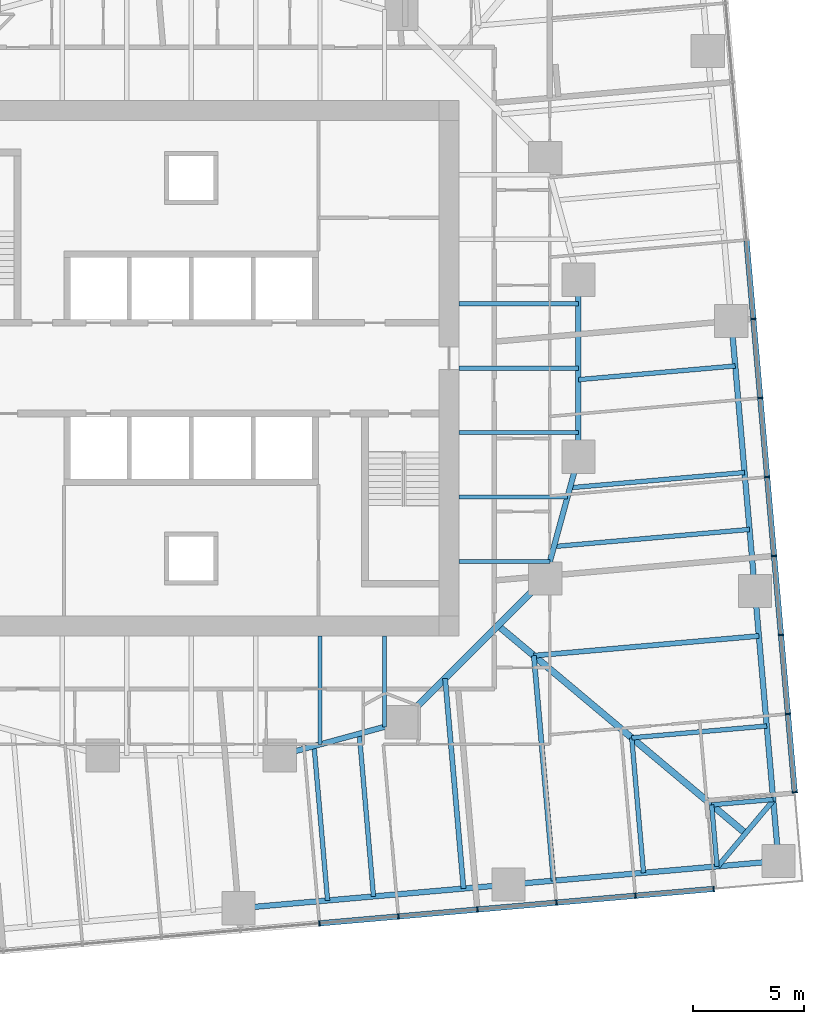
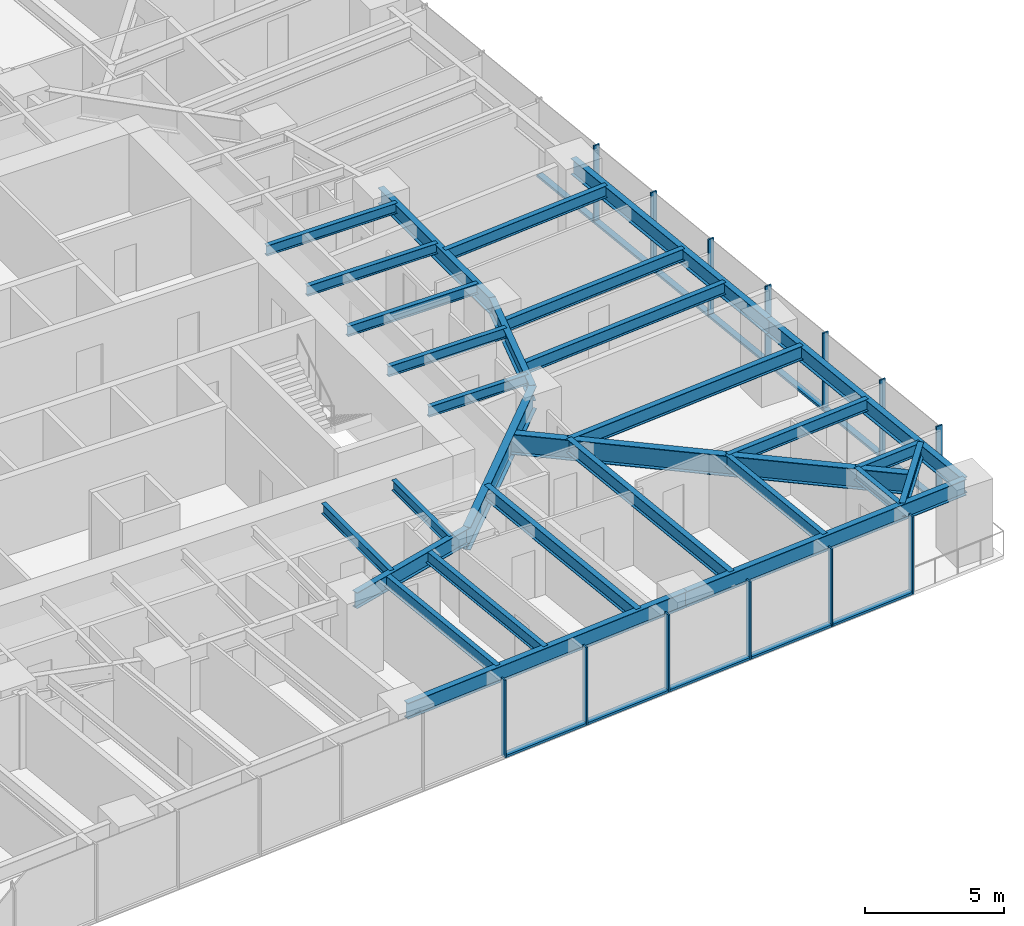
# One storey, part 4 of 14: 29 beams, 25 members, 2 elements without a shape of their own.
"""IFC4 building model written with IfcOpenShell, lengths in metres."""

from ifc_helpers import new_model, si_unit, direction, frame, origin, origin_2d, place, context, subcontext, project, spatial, rectangle, i_section, extrude, material, material_profile, profile_set, type_object, element, aggregate, save


model = new_model("IFC4")

# Units and contexts
model_context = context("Model", 3, precision=1e-05, world=origin(), true_north=direction((0.0, 1.0)))
body_context = subcontext(model_context, "Body", "Model", "MODEL_VIEW")
ifc_project = project(units=[si_unit("LENGTHUNIT", "METRE"), si_unit("AREAUNIT", "SQUARE_METRE"), si_unit("VOLUMEUNIT", "CUBIC_METRE"), si_unit("PLANEANGLEUNIT", "RADIAN"), si_unit("MASSUNIT", "GRAM", prefix="KILO")], contexts=[model_context])

# Site, building, storey
site_placement = place(None, origin())
site = spatial("IfcSite", under=ifc_project, at=site_placement, CompositionType="ELEMENT")
building_placement = place(site_placement, origin())
building = spatial("IfcBuilding", under=site, at=building_placement, Name="Torsade Residences", CompositionType="ELEMENT")
storey_placement = place(building_placement, frame((0.0, 0.0, 57.39990234375)))
storey = spatial("IfcBuildingStorey", under=building, at=storey_placement, Name="L15", CompositionType="ELEMENT", Elevation=57.39990234375)

# Beams
ifc_material_1 = material(Name="Steel grade 300", Category="steel")
ifc_material_profile_1 = material_profile(ifc_material_1, i_section(OverallWidth=0.300048828125, OverallDepth=0.89990234375, WebThickness=0.011962890625, FlangeThickness=0.02490234375, at=origin_2d()), Name="900WB175")
ifc_profile_set_1 = profile_set([ifc_material_profile_1], Name="Steel grade 300")
beam_type_1 = type_object("IfcBeamType", Name="CORNER GIRDER 900WB175", PredefinedType="BEAM", material=ifc_profile_set_1)
beam_1_placement = place(storey_placement, frame((65.052490234375, 8.978515625, 2.800048828125), z_axis=(-0.766046281307, 0.642785419012, 0.0), x_axis=(-0.642785419012, -0.766046281307, 0.0)))
element("IfcBeam", 1, at=beam_1_placement, inside=storey, type_object=beam_type_1, Name="Corner girder 05 L16", PredefinedType="BEAM", context=body_context, shape_type="SweptSolid", body=[
    extrude(i_section(OverallWidth=0.300048828125, OverallDepth=0.89990234375, WebThickness=0.011962890625, FlangeThickness=0.02490234375, at=origin_2d()), origin(), (0.0, 0.0, 1.0), 14.603515625),
])
ifc_material_2 = material(Name="Steel grade 300", Category="steel")
ifc_material_profile_2 = material_profile(ifc_material_2, i_section(OverallWidth=0.22802734375, OverallDepth=0.60205078125, WebThickness=0.010498046875, FlangeThickness=0.014892578125, FilletRadius=0.013916015625, at=origin_2d()), Name="610UB101")
ifc_profile_set_2 = profile_set([ifc_material_profile_2], Name="Steel grade 300")
beam_type_2 = type_object("IfcBeamType", Name="CORNER TRIMMER 610UB101", PredefinedType="BEAM", material=ifc_profile_set_2)
beam_2_placement = place(storey_placement, frame((66.302490234375, 10.468017578125, 2.94921875), z_axis=(-0.642804819911, -0.766030001697, 0.0), x_axis=(0.766030001697, -0.642804819911, 0.0)))
element("IfcBeam", 2, at=beam_2_placement, inside=storey, type_object=beam_type_2, Name="Corner trimmer 05 L16", PredefinedType="BEAM", context=body_context, shape_type="SweptSolid", body=[
    extrude(i_section(OverallWidth=0.22802734375, OverallDepth=0.60205078125, WebThickness=0.010498046875, FlangeThickness=0.014892578125, FilletRadius=0.013916015625, at=origin_2d()), origin(), (0.0, 0.0, 1.0), 3.88916015625),
])

# Curtain wall, members
ifc_material_3 = material(Name="Aluminium and glass", Category="aluminium")
curtain_wall_type = type_object("IfcCurtainWallType", Name="FRITTED GLASS CURTAIN WALL LOW ZONE", PredefinedType="NOTDEFINED", material=ifc_material_3)
curtain_wall_1_placement = place(storey_placement, origin())
curtain_wall_1 = element("IfcCurtainWall", 3, at=curtain_wall_1_placement, inside=storey, type_object=curtain_wall_type, Name="Curtain wall L15 face 1", PredefinedType="NOTDEFINED")
ifc_material_4 = material(Name="Aluminium mullion", Category="aluminium")
ifc_material_profile_3 = material_profile(ifc_material_4, rectangle(XDim=0.25, YDim=0.06494140625, at=origin_2d()), Name="CURTAIN WALL MULLION 250x65")
ifc_profile_set_3 = profile_set([ifc_material_profile_3], Name="Aluminium mullion")
member_type_1 = type_object("IfcMemberType", Name="CURTAIN WALL MULLION 250x65", PredefinedType="MULLION", material=ifc_profile_set_3)
member_1_placement = place(storey_placement, frame((45.792236328125, 4.909423828125, 0.0), z_axis=(0.0, 0.0, 1.0), x_axis=(-0.087155744208, 0.996194697964, 0.0)))
member_1 = element("IfcMember", 4, at=member_1_placement, type_object=member_type_1, Name="Mullion 8", PredefinedType="MULLION", context=body_context, shape_type="SweptSolid", body=[
    extrude(rectangle(XDim=0.25, YDim=0.06494140625, at=origin_2d()), origin(), (0.0, 0.0, 1.0), 3.400146484375),
])
member_2_placement = place(storey_placement, frame((49.36181640625, 5.2216796875, 0.0), z_axis=(0.0, 0.0, 1.0), x_axis=(-0.087155744208, 0.996194697964, 0.0)))
member_2 = element("IfcMember", 5, at=member_2_placement, type_object=member_type_1, Name="Mullion 9", PredefinedType="MULLION", context=body_context, shape_type="SweptSolid", body=[
    extrude(rectangle(XDim=0.25, YDim=0.06494140625, at=origin_2d()), origin(), (0.0, 0.0, 1.0), 3.400146484375),
])
member_3_placement = place(storey_placement, frame((52.931640625, 5.533935546875, 0.0), z_axis=(0.0, 0.0, 1.0), x_axis=(-0.087155744208, 0.996194697964, 0.0)))
member_3 = element("IfcMember", 6, at=member_3_placement, type_object=member_type_1, Name="Mullion 10", PredefinedType="MULLION", context=body_context, shape_type="SweptSolid", body=[
    extrude(rectangle(XDim=0.25, YDim=0.06494140625, at=origin_2d()), origin(), (0.0, 0.0, 1.0), 3.400146484375),
])
member_4_placement = place(storey_placement, frame((56.501220703125, 5.84619140625, 0.0), z_axis=(0.0, 0.0, 1.0), x_axis=(-0.087155744208, 0.996194697964, 0.0)))
member_4 = element("IfcMember", 7, at=member_4_placement, type_object=member_type_1, Name="Mullion 11", PredefinedType="MULLION", context=body_context, shape_type="SweptSolid", body=[
    extrude(rectangle(XDim=0.25, YDim=0.06494140625, at=origin_2d()), origin(), (0.0, 0.0, 1.0), 3.400146484375),
])
member_5_placement = place(storey_placement, frame((60.071044921875, 6.15869140625, 0.0), z_axis=(0.0, 0.0, 1.0), x_axis=(-0.087155744208, 0.996194697964, 0.0)))
member_5 = element("IfcMember", 8, at=member_5_placement, type_object=member_type_1, Name="Mullion 12", PredefinedType="MULLION", context=body_context, shape_type="SweptSolid", body=[
    extrude(rectangle(XDim=0.25, YDim=0.06494140625, at=origin_2d()), origin(), (0.0, 0.0, 1.0), 3.400146484375),
])
member_6_placement = place(storey_placement, frame((63.6083984375, 6.468017578125, 0.0), z_axis=(0.0, 0.0, 1.0), x_axis=(-0.087155744208, 0.996194697964, 0.0)))
member_6 = element("IfcMember", 9, at=member_6_placement, type_object=member_type_1, Name="Mullion 13", PredefinedType="MULLION", context=body_context, shape_type="SweptSolid", body=[
    extrude(rectangle(XDim=0.25, YDim=0.06494140625, at=origin_2d()), origin(), (0.0, 0.0, 1.0), 3.400146484375),
])

curtain_wall_2_placement = place(storey_placement, origin())
curtain_wall_2 = element("IfcCurtainWall", 10, at=curtain_wall_2_placement, inside=storey, type_object=curtain_wall_type, Name="Curtain wall L15 face 4", PredefinedType="NOTDEFINED")
member_7_placement = place(storey_placement, frame((67.27392578125, 10.836669921875, 0.0), z_axis=(0.0, 0.0, 1.0), x_axis=(-0.996194697964, -0.087155744208, 0.0)))
member_7 = element("IfcMember", 11, at=member_7_placement, type_object=member_type_1, Name="Mullion 1", PredefinedType="MULLION", context=body_context, shape_type="SweptSolid", body=[
    extrude(rectangle(XDim=0.25, YDim=0.06494140625, at=origin_2d()), origin(), (0.0, 0.0, 1.0), 3.400146484375),
])
member_8_placement = place(storey_placement, frame((66.964599609375, 14.3740234375, 0.0), z_axis=(0.0, 0.0, 1.0), x_axis=(-0.996194697964, -0.087155744208, 0.0)))
member_8 = element("IfcMember", 12, at=member_8_placement, type_object=member_type_1, Name="Mullion 2", PredefinedType="MULLION", context=body_context, shape_type="SweptSolid", body=[
    extrude(rectangle(XDim=0.25, YDim=0.06494140625, at=origin_2d()), origin(), (0.0, 0.0, 1.0), 3.400146484375),
])
member_9_placement = place(storey_placement, frame((66.652099609375, 17.943603515625, 0.0), z_axis=(0.0, 0.0, 1.0), x_axis=(-0.996194697964, -0.087155744208, 0.0)))
member_9 = element("IfcMember", 13, at=member_9_placement, type_object=member_type_1, Name="Mullion 3", PredefinedType="MULLION", context=body_context, shape_type="SweptSolid", body=[
    extrude(rectangle(XDim=0.25, YDim=0.06494140625, at=origin_2d()), origin(), (0.0, 0.0, 1.0), 3.400146484375),
])
member_10_placement = place(storey_placement, frame((66.33984375, 21.513427734375, 0.0), z_axis=(0.0, 0.0, 1.0), x_axis=(-0.996194697964, -0.087155744208, 0.0)))
member_10 = element("IfcMember", 14, at=member_10_placement, type_object=member_type_1, Name="Mullion 4", PredefinedType="MULLION", context=body_context, shape_type="SweptSolid", body=[
    extrude(rectangle(XDim=0.25, YDim=0.06494140625, at=origin_2d()), origin(), (0.0, 0.0, 1.0), 3.400146484375),
])
member_11_placement = place(storey_placement, frame((66.027587890625, 25.0830078125, 0.0), z_axis=(0.0, 0.0, 1.0), x_axis=(-0.996194697964, -0.087155744208, 0.0)))
member_11 = element("IfcMember", 15, at=member_11_placement, type_object=member_type_1, Name="Mullion 5", PredefinedType="MULLION", context=body_context, shape_type="SweptSolid", body=[
    extrude(rectangle(XDim=0.25, YDim=0.06494140625, at=origin_2d()), origin(), (0.0, 0.0, 1.0), 3.400146484375),
])
member_12_placement = place(storey_placement, frame((65.71533203125, 28.65283203125, 0.0), z_axis=(0.0, 0.0, 1.0), x_axis=(-0.996194697964, -0.087155744208, 0.0)))
member_12 = element("IfcMember", 16, at=member_12_placement, type_object=member_type_1, Name="Mullion 6", PredefinedType="MULLION", context=body_context, shape_type="SweptSolid", body=[
    extrude(rectangle(XDim=0.25, YDim=0.06494140625, at=origin_2d()), origin(), (0.0, 0.0, 1.0), 3.400146484375),
])
member_13_placement = place(storey_placement, frame((65.403076171875, 32.222412109375, 0.0), z_axis=(0.0, 0.0, 1.0), x_axis=(-0.996194697964, -0.087155744208, 0.0)))
member_13 = element("IfcMember", 17, at=member_13_placement, type_object=member_type_1, Name="Mullion 7", PredefinedType="MULLION", context=body_context, shape_type="SweptSolid", body=[
    extrude(rectangle(XDim=0.25, YDim=0.06494140625, at=origin_2d()), origin(), (0.0, 0.0, 1.0), 3.400146484375),
])

# Member
ifc_material_5 = material(Name="Aluminium transom", Category="aluminium")
ifc_material_profile_4 = material_profile(ifc_material_5, rectangle(XDim=0.25, YDim=0.10009765625, at=origin_2d()), Name="CURTAIN WALL TRANSOM 250x100")
ifc_profile_set_4 = profile_set([ifc_material_profile_4], Name="Aluminium transom")
member_type_2 = type_object("IfcMemberType", Name="CURTAIN WALL TRANSOM 250x100", PredefinedType="USERDEFINED", material=ifc_profile_set_4)
member_14_placement = place(storey_placement, frame((45.824462890625, 4.912109375, 0.050048828125), z_axis=(0.996195148363, 0.08715059597, 0.0), x_axis=(-0.08715059597, 0.996195148363, 0.0)))
member_14 = element("IfcMember", 18, at=member_14_placement, type_object=member_type_2, Name="Transom 8.1", ObjectType="TRANSOM", PredefinedType="USERDEFINED", context=body_context, shape_type="SweptSolid", body=[
    extrude(rectangle(XDim=0.25, YDim=0.10009765625, at=origin_2d()), origin(), (0.0, 0.0, 1.0), 3.5185546875),
])

member_15_placement = place(storey_placement, frame((49.394287109375, 5.224365234375, 0.050048828125), z_axis=(0.996194621295, 0.087156620531, 0.0), x_axis=(-0.087156620531, 0.996194621295, 0.0)))
member_15 = element("IfcMember", 19, at=member_15_placement, type_object=member_type_2, Name="Transom 9.1", ObjectType="TRANSOM", PredefinedType="USERDEFINED", context=body_context, shape_type="SweptSolid", body=[
    extrude(rectangle(XDim=0.25, YDim=0.10009765625, at=origin_2d()), origin(), (0.0, 0.0, 1.0), 3.518310546875),
])

member_16_placement = place(storey_placement, frame((52.9638671875, 5.536865234375, 0.050048828125), z_axis=(0.996195148363, 0.08715059597, 0.0), x_axis=(-0.08715059597, 0.996195148363, 0.0)))
member_16 = element("IfcMember", 20, at=member_16_placement, type_object=member_type_2, Name="Transom 10.1", ObjectType="TRANSOM", PredefinedType="USERDEFINED", context=body_context, shape_type="SweptSolid", body=[
    extrude(rectangle(XDim=0.25, YDim=0.10009765625, at=origin_2d()), origin(), (0.0, 0.0, 1.0), 3.5185546875),
])

member_17_placement = place(storey_placement, frame((56.53369140625, 5.84912109375, 0.050048828125), z_axis=(0.996194621295, 0.087156620531, 0.0), x_axis=(-0.087156620531, 0.996194621295, 0.0)))
member_17 = element("IfcMember", 21, at=member_17_placement, type_object=member_type_2, Name="Transom 11.1", ObjectType="TRANSOM", PredefinedType="USERDEFINED", context=body_context, shape_type="SweptSolid", body=[
    extrude(rectangle(XDim=0.25, YDim=0.10009765625, at=origin_2d()), origin(), (0.0, 0.0, 1.0), 3.518310546875),
])

member_18_placement = place(storey_placement, frame((60.103271484375, 6.161376953125, 0.050048828125), z_axis=(0.996191284475, 0.08719475177, 0.0), x_axis=(-0.08719475177, 0.996191284475, 0.0)))
member_18 = element("IfcMember", 22, at=member_18_placement, type_object=member_type_2, Name="Transom 12.1", ObjectType="TRANSOM", PredefinedType="USERDEFINED", context=body_context, shape_type="SweptSolid", body=[
    extrude(rectangle(XDim=0.25, YDim=0.10009765625, at=origin_2d()), origin(), (0.0, 0.0, 1.0), 3.48583984375),
])

aggregate(curtain_wall_1, [member_1, member_2, member_3, member_4, member_5, member_6, member_14, member_15, member_16, member_17, member_18])

member_19_placement = place(storey_placement, frame((67.271240234375, 10.869140625, 0.050048828125), z_axis=(-0.0872008357, 0.996190751941, 0.0), x_axis=(-0.996190751941, -0.0872008357, 0.0)))
member_19 = element("IfcMember", 23, at=member_19_placement, type_object=member_type_2, Name="Transom 1.1", ObjectType="TRANSOM", PredefinedType="USERDEFINED", context=body_context, shape_type="SweptSolid", body=[
    extrude(rectangle(XDim=0.25, YDim=0.10009765625, at=origin_2d()), origin(), (0.0, 0.0, 1.0), 3.485595703125),
])

member_20_placement = place(storey_placement, frame((66.961669921875, 14.40625, 0.050048828125), z_axis=(-0.08715059597, 0.996195148363, 0.0), x_axis=(-0.996195148363, -0.08715059597, 0.0)))
member_20 = element("IfcMember", 24, at=member_20_placement, type_object=member_type_2, Name="Transom 2.1", ObjectType="TRANSOM", PredefinedType="USERDEFINED", context=body_context, shape_type="SweptSolid", body=[
    extrude(rectangle(XDim=0.25, YDim=0.10009765625, at=origin_2d()), origin(), (0.0, 0.0, 1.0), 3.5185546875),
])

member_21_placement = place(storey_placement, frame((66.6494140625, 17.97607421875, 0.050048828125), z_axis=(-0.087156620531, 0.996194621295, 0.0), x_axis=(-0.996194621295, -0.087156620531, 0.0)))
member_21 = element("IfcMember", 25, at=member_21_placement, type_object=member_type_2, Name="Transom 3.1", ObjectType="TRANSOM", PredefinedType="USERDEFINED", context=body_context, shape_type="SweptSolid", body=[
    extrude(rectangle(XDim=0.25, YDim=0.10009765625, at=origin_2d()), origin(), (0.0, 0.0, 1.0), 3.518310546875),
])

member_22_placement = place(storey_placement, frame((66.337158203125, 21.545654296875, 0.050048828125), z_axis=(-0.08715059597, 0.996195148363, 0.0), x_axis=(-0.996195148363, -0.08715059597, 0.0)))
member_22 = element("IfcMember", 26, at=member_22_placement, type_object=member_type_2, Name="Transom 4.1", ObjectType="TRANSOM", PredefinedType="USERDEFINED", context=body_context, shape_type="SweptSolid", body=[
    extrude(rectangle(XDim=0.25, YDim=0.10009765625, at=origin_2d()), origin(), (0.0, 0.0, 1.0), 3.5185546875),
])

member_23_placement = place(storey_placement, frame((66.024658203125, 25.115478515625, 0.050048828125), z_axis=(-0.087156620531, 0.996194621295, 0.0), x_axis=(-0.996194621295, -0.087156620531, 0.0)))
member_23 = element("IfcMember", 27, at=member_23_placement, type_object=member_type_2, Name="Transom 5.1", ObjectType="TRANSOM", PredefinedType="USERDEFINED", context=body_context, shape_type="SweptSolid", body=[
    extrude(rectangle(XDim=0.25, YDim=0.10009765625, at=origin_2d()), origin(), (0.0, 0.0, 1.0), 3.518310546875),
])

member_24_placement = place(storey_placement, frame((65.71240234375, 28.68505859375, 0.050048828125), z_axis=(-0.08715059597, 0.996195148363, 0.0), x_axis=(-0.996195148363, -0.08715059597, 0.0)))
member_24 = element("IfcMember", 28, at=member_24_placement, type_object=member_type_2, Name="Transom 6.1", ObjectType="TRANSOM", PredefinedType="USERDEFINED", context=body_context, shape_type="SweptSolid", body=[
    extrude(rectangle(XDim=0.25, YDim=0.10009765625, at=origin_2d()), origin(), (0.0, 0.0, 1.0), 3.5185546875),
])

member_25_placement = place(storey_placement, frame((65.400146484375, 32.2548828125, 0.050048828125), z_axis=(-0.087156620531, 0.996194621295, 0.0), x_axis=(-0.996194621295, -0.087156620531, 0.0)))
member_25 = element("IfcMember", 29, at=member_25_placement, type_object=member_type_2, Name="Transom 7.1", ObjectType="TRANSOM", PredefinedType="USERDEFINED", context=body_context, shape_type="SweptSolid", body=[
    extrude(rectangle(XDim=0.25, YDim=0.10009765625, at=origin_2d()), origin(), (0.0, 0.0, 1.0), 3.518310546875),
])

aggregate(curtain_wall_2, [member_7, member_8, member_9, member_10, member_11, member_12, member_13, member_19, member_20, member_21, member_22, member_23, member_24, member_25])

# Beams
ifc_material_6 = material(Name="Steel grade 300", Category="steel")
ifc_material_profile_5 = material_profile(ifc_material_6, i_section(OverallWidth=0.25, OverallDepth=0.699951171875, WebThickness=0.010009765625, FlangeThickness=0.02001953125, at=origin_2d()), Name="700WB130")
ifc_profile_set_5 = profile_set([ifc_material_profile_5], Name="Steel grade 300")
beam_type_3 = type_object("IfcBeamType", Name="EDGE BEAM 700WB130", PredefinedType="SPANDREL", material=ifc_profile_set_5)
for number, where, z_axis, x_axis, name in (
    (30, (42.13525390625, 5.59326171875, 2.900146484375), (0.996194907201, 0.08715335259, 0.0), (-0.08715335259, 0.996194907201, 0.0), "Edge beam 03 L16"),
    (31, (54.338623046875, 6.660888671875, 2.900146484375), (0.996194907201, 0.08715335259, 0.0), (-0.08715335259, 0.996194907201, 0.0), "Edge beam 04 L16"),
    (32, (66.5419921875, 7.728515625, 2.900146484375), (-0.08715335259, 0.996194907201, 0.0), (-0.996194907201, -0.08715335259, 0.0), "Edge beam 05 L16"),
    (33, (65.474365234375, 19.931884765625, 2.900146484375), (-0.08715335259, 0.996194907201, 0.0), (-0.996194907201, -0.08715335259, 0.0), "Edge beam 06 L16"),
):
    element("IfcBeam", number, at=place(storey_placement, frame(where, z_axis=z_axis, x_axis=x_axis)), inside=storey, type_object=beam_type_3, Name=name, PredefinedType="SPANDREL", context=body_context, shape_type="SweptSolid", body=[
        extrude(i_section(OverallWidth=0.25, OverallDepth=0.699951171875, WebThickness=0.010009765625, FlangeThickness=0.02001953125, at=origin_2d()), origin(), (0.0, 0.0, 1.0), 12.25),
    ])
ifc_material_7 = material(Name="Steel grade 300", Category="steel")
ifc_material_profile_6 = material_profile(ifc_material_7, i_section(OverallWidth=0.18994140625, OverallDepth=0.4541015625, WebThickness=0.008544921875, FlangeThickness=0.0126953125, FilletRadius=0.011474609375, at=origin_2d()), Name="460UB67.1")
ifc_profile_set_6 = profile_set([ifc_material_profile_6], Name="Steel grade 300")
beam_type_4 = type_object("IfcBeamType", Name="INNER FLOOR BEAM 460UB67.1", PredefinedType="JOIST", material=ifc_profile_set_6)
beam_3_placement = place(storey_placement, frame((48.737548828125, 17.89990234375, 3.023193359375), z_axis=(0.0, -1.0, 0.0), x_axis=(1.0, 0.0, 0.0)))
element("IfcBeam", 34, at=beam_3_placement, inside=storey, type_object=beam_type_4, Name="Inner floor beam IS01 L16", PredefinedType="JOIST", context=body_context, shape_type="SweptSolid", body=[
    extrude(i_section(OverallWidth=0.18994140625, OverallDepth=0.4541015625, WebThickness=0.008544921875, FlangeThickness=0.0126953125, FilletRadius=0.011474609375, at=origin_2d()), origin(), (0.0, 0.0, 1.0), 4.10791015625),
])
beam_4_placement = place(storey_placement, frame((45.824951171875, 17.89990234375, 3.023193359375), z_axis=(0.0, -1.0, 0.0), x_axis=(1.0, 0.0, 0.0)))
element("IfcBeam", 35, at=beam_4_placement, inside=storey, type_object=beam_type_4, Name="Inner floor beam IS02 L16", PredefinedType="JOIST", context=body_context, shape_type="SweptSolid", body=[
    extrude(i_section(OverallWidth=0.18994140625, OverallDepth=0.4541015625, WebThickness=0.008544921875, FlangeThickness=0.0126953125, FilletRadius=0.011474609375, at=origin_2d()), origin(), (0.0, 0.0, 1.0), 4.902099609375),
])
beam_5_placement = place(storey_placement, frame((52.10009765625, 21.262451171875, 3.023193359375), z_axis=(1.0, 0.0, 0.0), x_axis=(0.0, 1.0, 0.0)))
element("IfcBeam", 36, at=beam_5_placement, inside=storey, type_object=beam_type_4, Name="Inner floor beam IE01 L16", PredefinedType="JOIST", context=body_context, shape_type="SweptSolid", body=[
    extrude(i_section(OverallWidth=0.18994140625, OverallDepth=0.4541015625, WebThickness=0.008544921875, FlangeThickness=0.0126953125, FilletRadius=0.011474609375, at=origin_2d()), origin(), (0.0, 0.0, 1.0), 4.10791015625),
])
beam_6_placement = place(storey_placement, frame((52.10009765625, 24.175048828125, 3.023193359375), z_axis=(1.0, 0.0, 0.0), x_axis=(0.0, 1.0, 0.0)))
element("IfcBeam", 37, at=beam_6_placement, inside=storey, type_object=beam_type_4, Name="Inner floor beam IE02 L16", PredefinedType="JOIST", context=body_context, shape_type="SweptSolid", body=[
    extrude(i_section(OverallWidth=0.18994140625, OverallDepth=0.4541015625, WebThickness=0.008544921875, FlangeThickness=0.0126953125, FilletRadius=0.011474609375, at=origin_2d()), origin(), (0.0, 0.0, 1.0), 4.902099609375),
])
for number, where, z_axis, x_axis, name in (
    (38, (52.10009765625, 27.08740234375, 3.023193359375), (1.0, 0.0, 0.0), (0.0, 1.0, 0.0), "Inner floor beam IE03 L16"),
    (39, (52.10009765625, 30.0, 3.023193359375), (1.0, 0.0, 0.0), (0.0, 1.0, 0.0), "Inner floor beam IE04 L16"),
    (40, (52.10009765625, 32.91259765625, 3.023193359375), (1.0, 0.0, 0.0), (0.0, 1.0, 0.0), "Inner floor beam IE05 L16"),
):
    element("IfcBeam", number, at=place(storey_placement, frame(where, z_axis=z_axis, x_axis=x_axis)), inside=storey, type_object=beam_type_4, Name=name, PredefinedType="JOIST", context=body_context, shape_type="SweptSolid", body=[
        extrude(i_section(OverallWidth=0.18994140625, OverallDepth=0.4541015625, WebThickness=0.008544921875, FlangeThickness=0.0126953125, FilletRadius=0.011474609375, at=origin_2d()), origin(), (0.0, 0.0, 1.0), 5.39990234375),
    ])
ifc_material_8 = material(Name="Steel grade 300", Category="steel")
ifc_material_profile_7 = material_profile(ifc_material_8, i_section(OverallWidth=0.300048828125, OverallDepth=1.0, WebThickness=0.01611328125, FlangeThickness=0.028076171875, at=origin_2d()), Name="1000WB215")
ifc_profile_set_7 = profile_set([ifc_material_profile_7], Name="Steel grade 300")
beam_type_5 = type_object("IfcBeamType", Name="RING CORNER GIRDER 1000WB215", PredefinedType="BEAM", material=ifc_profile_set_7)
beam_7_placement = place(storey_placement, frame((49.5, 14.0, 2.75), z_axis=(0.707106781187, 0.707106781187, 0.0), x_axis=(-0.707106781187, 0.707106781187, 0.0)))
element("IfcBeam", 41, at=beam_7_placement, inside=storey, type_object=beam_type_5, Name="Ring girder IR15 L16", PredefinedType="BEAM", context=body_context, shape_type="SweptSolid", body=[
    extrude(i_section(OverallWidth=0.300048828125, OverallDepth=1.0, WebThickness=0.01611328125, FlangeThickness=0.028076171875, at=origin_2d()), origin(), (0.0, 0.0, 1.0), 9.1923828125),
])
ifc_material_9 = material(Name="Steel grade 300", Category="steel")
ifc_material_profile_8 = material_profile(ifc_material_9, i_section(OverallWidth=0.25, OverallDepth=0.699951171875, WebThickness=0.010009765625, FlangeThickness=0.02001953125, at=origin_2d()), Name="700WB130")
ifc_profile_set_8 = profile_set([ifc_material_profile_8], Name="Steel grade 300")
beam_type_6 = type_object("IfcBeamType", Name="RING GIRDER 700WB130", PredefinedType="BEAM", material=ifc_profile_set_8)
beam_8_placement = place(storey_placement, frame((57.5, 26.0, 2.900146484375), z_axis=(0.0, 1.0, 0.0), x_axis=(-1.0, 0.0, 0.0)))
element("IfcBeam", 42, at=beam_8_placement, inside=storey, type_object=beam_type_6, Name="Ring girder IR01 L16", PredefinedType="BEAM", context=body_context, shape_type="SweptSolid", body=[
    extrude(i_section(OverallWidth=0.25, OverallDepth=0.699951171875, WebThickness=0.010009765625, FlangeThickness=0.02001953125, at=origin_2d()), origin(), (0.0, 0.0, 1.0), 8.0),
])
for number, where, z_axis, x_axis, name in (
    (43, (44.0, 12.5, 2.900146484375), (0.964763821238, 0.263117405792, 0.0), (-0.263117405792, 0.964763821238, 0.0), "Ring girder IR14 L16"),
    (44, (56.0, 20.5, 2.900146484375), (0.263117405792, 0.964763821238, 0.0), (-0.964763821238, 0.263117405792, 0.0), "Ring girder IR16 L16"),
):
    element("IfcBeam", number, at=place(storey_placement, frame(where, z_axis=z_axis, x_axis=x_axis)), inside=storey, type_object=beam_type_6, Name=name, PredefinedType="BEAM", context=body_context, shape_type="SweptSolid", body=[
        extrude(i_section(OverallWidth=0.25, OverallDepth=0.699951171875, WebThickness=0.010009765625, FlangeThickness=0.02001953125, at=origin_2d()), origin(), (0.0, 0.0, 1.0), 5.700927734375),
    ])
ifc_material_10 = material(Name="Steel grade 300", Category="steel")
ifc_material_profile_9 = material_profile(ifc_material_10, i_section(OverallWidth=0.208984375, OverallDepth=0.528076171875, WebThickness=0.009521484375, FlangeThickness=0.01318359375, FilletRadius=0.013916015625, at=origin_2d()), Name="530UB82.0")
ifc_profile_set_9 = profile_set([ifc_material_profile_9], Name="Steel grade 300")
beam_type_7 = type_object("IfcBeamType", Name="SECONDARY BEAM 530UB82.0", PredefinedType="JOIST", material=ifc_profile_set_9)
beam_9_placement = place(storey_placement, frame((46.16162109375, 5.945556640625, 2.986083984375), z_axis=(-0.087175598142, 0.99619296077, 0.0), x_axis=(-0.99619296077, -0.087175598142, 0.0)))
element("IfcBeam", 45, at=beam_9_placement, inside=storey, type_object=beam_type_7, Name="Floor beam FS07 L16", PredefinedType="JOIST", context=body_context, shape_type="SweptSolid", body=[
    extrude(i_section(OverallWidth=0.208984375, OverallDepth=0.528076171875, WebThickness=0.009521484375, FlangeThickness=0.01318359375, FilletRadius=0.013916015625, at=origin_2d()), origin(), (0.0, 0.0, 1.0), 7.004150390625),
])
beam_10_placement = place(storey_placement, frame((48.237060546875, 6.126953125, 2.986083984375), z_axis=(-0.087156282128, 0.996194650902, 0.0), x_axis=(-0.996194650902, -0.087156282128, 0.0)))
element("IfcBeam", 46, at=beam_10_placement, inside=storey, type_object=beam_type_7, Name="Floor beam FS08 L16", PredefinedType="JOIST", context=body_context, shape_type="SweptSolid", body=[
    extrude(i_section(OverallWidth=0.208984375, OverallDepth=0.528076171875, WebThickness=0.009521484375, FlangeThickness=0.01318359375, FilletRadius=0.013916015625, at=origin_2d()), origin(), (0.0, 0.0, 1.0), 7.381103515625),
])
beam_11_placement = place(storey_placement, frame((60.4404296875, 7.19482421875, 2.986083984375), z_axis=(-0.087174861801, 0.996193025206, 0.0), x_axis=(-0.996193025206, -0.087174861801, 0.0)))
element("IfcBeam", 47, at=beam_11_placement, inside=storey, type_object=beam_type_7, Name="Floor beam FS11 L16", PredefinedType="JOIST", context=body_context, shape_type="SweptSolid", body=[
    extrude(i_section(OverallWidth=0.208984375, OverallDepth=0.528076171875, WebThickness=0.009521484375, FlangeThickness=0.01318359375, FilletRadius=0.013916015625, at=origin_2d()), origin(), (0.0, 0.0, 1.0), 6.125),
])
for number, where, z_axis, x_axis, name in (
    (48, (63.760986328125, 7.4853515625, 2.986083984375), (-0.087105111923, 0.996199126418, 0.0), (-0.996199126418, -0.087105111923, 0.0), "Floor beam FS12 L16"),
    (49, (66.298828125, 10.509521484375, 2.986083984375), (-0.996199126418, -0.087105111923, 0.0), (0.087105111923, -0.996199126418, 0.0), "Floor beam FE01 L16"),
):
    element("IfcBeam", number, at=place(storey_placement, frame(where, z_axis=z_axis, x_axis=x_axis)), inside=storey, type_object=beam_type_7, Name=name, PredefinedType="JOIST", context=body_context, shape_type="SweptSolid", body=[
        extrude(i_section(OverallWidth=0.208984375, OverallDepth=0.528076171875, WebThickness=0.009521484375, FlangeThickness=0.01318359375, FilletRadius=0.013916015625, at=origin_2d()), origin(), (0.0, 0.0, 1.0), 2.79150390625),
    ])
beam_12_placement = place(storey_placement, frame((66.00830078125, 13.830322265625, 2.986083984375), z_axis=(-0.996193328106, -0.087171400335, 0.0), x_axis=(0.087171400335, -0.996193328106, 0.0)))
element("IfcBeam", 50, at=beam_12_placement, inside=storey, type_object=beam_type_7, Name="Floor beam FE02 L16", PredefinedType="JOIST", context=body_context, shape_type="SweptSolid", body=[
    extrude(i_section(OverallWidth=0.208984375, OverallDepth=0.528076171875, WebThickness=0.009521484375, FlangeThickness=0.01318359375, FilletRadius=0.013916015625, at=origin_2d()), origin(), (0.0, 0.0, 1.0), 6.125244140625),
])
beam_13_placement = place(storey_placement, frame((65.231201171875, 22.712890625, 2.986083984375), z_axis=(-0.996195539225, -0.08714612802, 0.0), x_axis=(0.08714612802, -0.996195539225, 0.0)))
element("IfcBeam", 51, at=beam_13_placement, inside=storey, type_object=beam_type_7, Name="Floor beam FE04 L16", PredefinedType="JOIST", context=body_context, shape_type="SweptSolid", body=[
    extrude(i_section(OverallWidth=0.208984375, OverallDepth=0.528076171875, WebThickness=0.009521484375, FlangeThickness=0.01318359375, FilletRadius=0.013916015625, at=origin_2d()), origin(), (0.0, 0.0, 1.0), 8.872314453125),
])
beam_14_placement = place(storey_placement, frame((65.005859375, 25.286376953125, 2.986083984375), z_axis=(-0.996194520605, -0.087157771408, 0.0), x_axis=(0.087157771408, -0.996194520605, 0.0)))
element("IfcBeam", 52, at=beam_14_placement, inside=storey, type_object=beam_type_7, Name="Floor beam FE05 L16", PredefinedType="JOIST", context=body_context, shape_type="SweptSolid", body=[
    extrude(i_section(OverallWidth=0.208984375, OverallDepth=0.528076171875, WebThickness=0.009521484375, FlangeThickness=0.01318359375, FilletRadius=0.013916015625, at=origin_2d()), origin(), (0.0, 0.0, 1.0), 7.918701171875),
])
beam_15_placement = place(storey_placement, frame((64.584716796875, 30.101318359375, 2.986083984375), z_axis=(-0.996197182094, -0.087127345813, 0.0), x_axis=(0.087127345813, -0.996197182094, 0.0)))
element("IfcBeam", 53, at=beam_15_placement, inside=storey, type_object=beam_type_7, Name="Floor beam FE06 L16", PredefinedType="JOIST", context=body_context, shape_type="SweptSolid", body=[
    extrude(i_section(OverallWidth=0.208984375, OverallDepth=0.528076171875, WebThickness=0.009521484375, FlangeThickness=0.01318359375, FilletRadius=0.013916015625, at=origin_2d()), origin(), (0.0, 0.0, 1.0), 7.11181640625),
])
ifc_material_11 = material(Name="Steel grade 300", Category="steel")
ifc_material_profile_10 = material_profile(ifc_material_11, i_section(OverallWidth=0.22900390625, OverallDepth=0.612060546875, WebThickness=0.011962890625, FlangeThickness=0.01953125, FilletRadius=0.013916015625, at=origin_2d()), Name="610UB125")
ifc_profile_set_10 = profile_set([ifc_material_profile_10], Name="Steel grade 300")
beam_type_8 = type_object("IfcBeamType", Name="SECONDARY BEAM 610UB125", PredefinedType="JOIST", material=ifc_profile_set_10)
beam_16_placement = place(storey_placement, frame((52.3046875, 6.48291015625, 2.944091796875), z_axis=(-0.087148195942, 0.996195358323, 0.0), x_axis=(-0.996195358323, -0.087148195942, 0.0)))
element("IfcBeam", 54, at=beam_16_placement, inside=storey, type_object=beam_type_8, Name="Floor beam FS09 L16", PredefinedType="JOIST", context=body_context, shape_type="SweptSolid", body=[
    extrude(i_section(OverallWidth=0.22900390625, OverallDepth=0.612060546875, WebThickness=0.011962890625, FlangeThickness=0.01953125, FilletRadius=0.013916015625, at=origin_2d()), origin(), (0.0, 0.0, 1.0), 9.527587890625),
])
for number, where, z_axis, x_axis, name in (
    (55, (56.37255859375, 6.8388671875, 2.944091796875), (-0.087149742944, 0.996195222988, 0.0), (-0.996195222988, -0.087149742944, 0.0), "Floor beam FS10 L16"),
    (56, (65.65234375, 17.89794921875, 2.944091796875), (-0.996195222988, -0.087149742944, 0.0), (0.087149742944, -0.996195222988, 0.0), "Floor beam FE03 L16"),
):
    element("IfcBeam", number, at=place(storey_placement, frame(where, z_axis=z_axis, x_axis=x_axis)), inside=storey, type_object=beam_type_8, Name=name, PredefinedType="JOIST", context=body_context, shape_type="SweptSolid", body=[
        extrude(i_section(OverallWidth=0.22900390625, OverallDepth=0.612060546875, WebThickness=0.011962890625, FlangeThickness=0.01953125, FilletRadius=0.013916015625, at=origin_2d()), origin(), (0.0, 0.0, 1.0), 10.208251953125),
    ])

save(model, "model.ifc")
